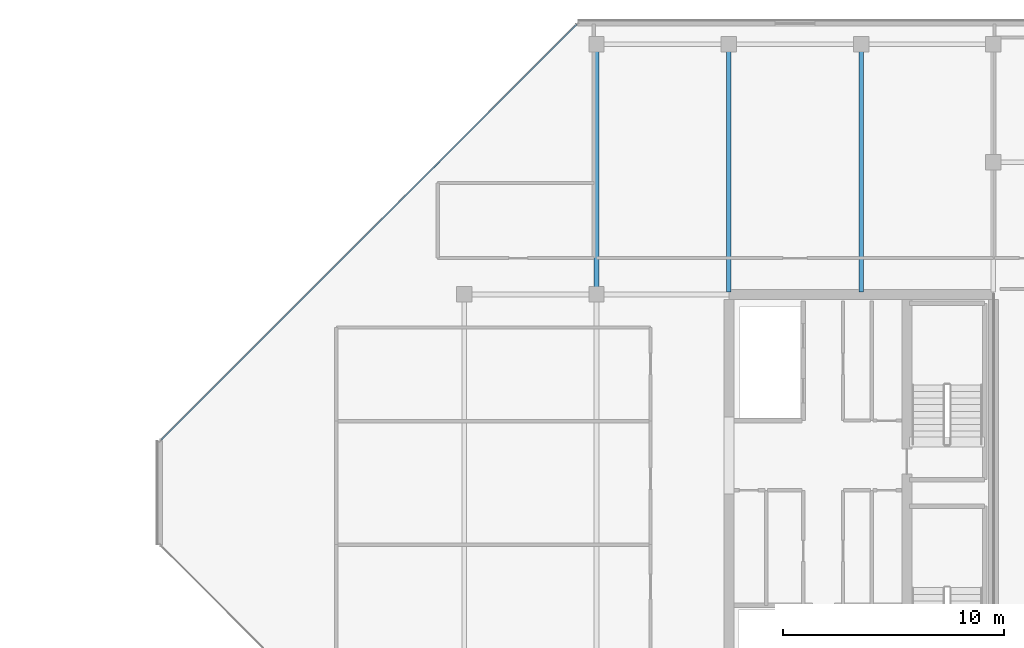
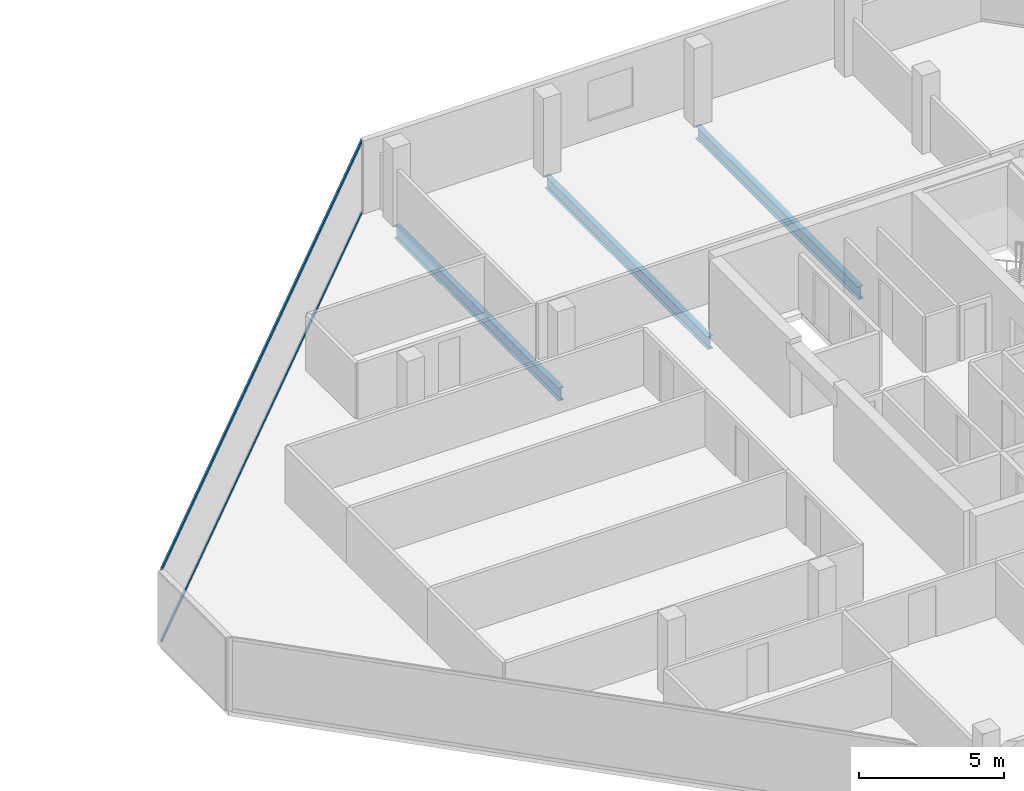
# One storey, part 13 of 29: 3 beams, 2 members, 1 element without a shape of its own.
"""IFC4 building model written with IfcOpenShell, lengths in metres."""

from ifc_helpers import new_model, si_unit, direction, frame, origin, origin_2d, place, context, subcontext, project, spatial, hollow_rectangle, i_section, extrude, material, layer, layer_set, material_profile, profile_set, type_object, element, aggregate, save


model = new_model("IFC4")

# Units and contexts
model_context = context("Model", 3, precision=1e-05, world=origin(), true_north=direction((0.0, 1.0)))
body_context = subcontext(model_context, "Body", "Model", "MODEL_VIEW")
ifc_project = project(units=[si_unit("LENGTHUNIT", "METRE"), si_unit("AREAUNIT", "SQUARE_METRE"), si_unit("VOLUMEUNIT", "CUBIC_METRE"), si_unit("PLANEANGLEUNIT", "RADIAN"), si_unit("MASSUNIT", "GRAM", prefix="KILO")], contexts=[model_context])

# Site, building, storey
site_placement = place(None, origin())
site = spatial("IfcSite", under=ifc_project, at=site_placement, CompositionType="ELEMENT")
building_placement = place(site_placement, origin())
building = spatial("IfcBuilding", under=site, at=building_placement, Name="Tanjung Sevakor Pilgrim Tower", CompositionType="ELEMENT")
storey_placement = place(building_placement, frame((0.0, 0.0, 232.64990234375)))
storey = spatial("IfcBuildingStorey", under=building, at=storey_placement, Name="L65", CompositionType="ELEMENT", Elevation=232.64990234375)

# Beams
ifc_material_1 = material(Name="Steel S355J2", Category="steel")
ifc_material_profile_1 = material_profile(ifc_material_1, i_section(OverallWidth=0.210693359375, OverallDepth=0.53955078125, WebThickness=0.01171875, FlangeThickness=0.018798828125, FilletRadius=0.0126953125, at=origin_2d()))
ifc_profile_set_1 = profile_set([ifc_material_profile_1], Name="Steel S355J2")
beam_type = type_object("IfcBeamType", Name="BM-B-G6-UB_533x210x109", PredefinedType="BEAM", material=ifc_profile_set_1)
beam_placement = place(storey_placement, frame((72.0, 42.60009765625, -0.489501953125), z_axis=(0.0, 1.0, 0.0), x_axis=(-1.0, 0.0, 0.0)))
element("IfcBeam", 1, at=beam_placement, inside=storey, type_object=beam_type, Name="L65 EAST Girder 004", PredefinedType="BEAM", context=body_context, shape_type="SweptSolid", body=[
    extrude(i_section(OverallWidth=0.210693359375, OverallDepth=0.53955078125, WebThickness=0.01171875, FlangeThickness=0.018798828125, FilletRadius=0.0126953125, at=origin_2d()), origin(), (0.0, 0.0, 1.0), 11.349853515625),
])
for number, where, z_axis, x_axis, name in (
    (2, (78.0, 42.7060546875, -0.489501953125), (0.0, 1.0, 0.0), (-1.0, 0.0, 0.0), "L65 EAST Girder 006"),
    (3, (84.0, 42.7060546875, -0.489501953125), (0.0, 1.0, 0.0), (-1.0, 0.0, 0.0), "L65 EAST Girder 008"),
):
    element("IfcBeam", number, at=place(storey_placement, frame(where, z_axis=z_axis, x_axis=x_axis)), inside=storey, type_object=beam_type, Name=name, PredefinedType="BEAM", context=body_context, shape_type="SweptSolid", body=[
        extrude(i_section(OverallWidth=0.210693359375, OverallDepth=0.53955078125, WebThickness=0.01171875, FlangeThickness=0.018798828125, FilletRadius=0.0126953125, at=origin_2d()), origin(), (0.0, 0.0, 1.0), 11.243896484375),
    ])

# Curtain wall, members
ifc_material_2 = material(Name="Aluminium 6063-T6 and Low-E Glass", Category="aluminium")
ifc_layer = layer(ifc_material_2, 0.179931640625)
ifc_layer_set = layer_set([ifc_layer], Name="CW-SYS-CHAM")
curtain_wall_type = type_object("IfcCurtainWallType", Name="CW-SYS-CHAM", PredefinedType="NOTDEFINED", material=ifc_layer_set)
curtain_wall_placement = place(storey_placement, origin())
curtain_wall = element("IfcCurtainWall", 4, at=curtain_wall_placement, inside=storey, type_object=curtain_wall_type, Name="L65 Curtain Wall CW-CHM-L65-EAST-5", PredefinedType="NOTDEFINED")
ifc_material_3 = material(Name="Aluminium 6063-T6", Category="aluminium")
ifc_material_profile_2 = material_profile(ifc_material_3, hollow_rectangle(XDim=0.06494140625, YDim=0.139892578125, WallThickness=0.00390625, at=origin_2d()))
ifc_profile_set_2 = profile_set([ifc_material_profile_2], Name="Aluminium 6063-T6")
member_type = type_object("IfcMemberType", Name="TYPE-CWT-1", PredefinedType="USERDEFINED", material=ifc_profile_set_2)
member_1_placement = place(storey_placement, frame((71.099609375, 54.843994140625, 0.03271484375), z_axis=(-0.707106781187, -0.707106781187, 0.0), x_axis=(0.707106781187, -0.707106781187, 0.0)))
member_1 = element("IfcMember", 5, at=member_1_placement, type_object=member_type, Name="CW-CHM transom 1.1", ObjectType="TRANSOM", PredefinedType="USERDEFINED", context=body_context, shape_type="SweptSolid", body=[
    extrude(hollow_rectangle(XDim=0.06494140625, YDim=0.139892578125, WallThickness=0.00390625, at=origin_2d()), origin(), (0.0, 0.0, 1.0), 26.649169921875),
])
member_2_placement = place(storey_placement, frame((71.099609375, 54.843994140625, 3.047607421875), z_axis=(-0.707106781187, -0.707106781187, 0.0), x_axis=(0.707106781187, -0.707106781187, 0.0)))
member_2 = element("IfcMember", 6, at=member_2_placement, type_object=member_type, Name="CW-CHM transom 1.2", ObjectType="TRANSOM", PredefinedType="USERDEFINED", context=body_context, shape_type="SweptSolid", body=[
    extrude(hollow_rectangle(XDim=0.06494140625, YDim=0.139892578125, WallThickness=0.00390625, at=origin_2d()), origin(), (0.0, 0.0, 1.0), 26.649169921875),
])
aggregate(curtain_wall, [member_1, member_2])

save(model, "model.ifc")
